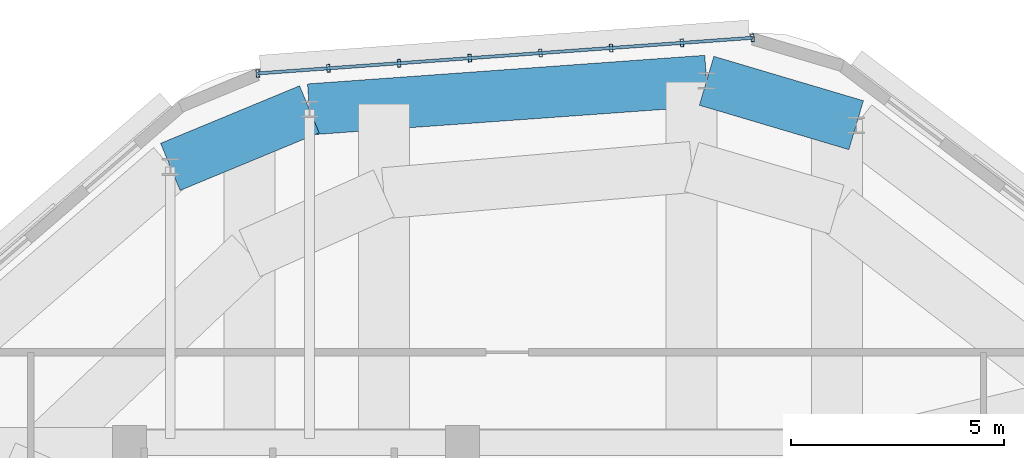
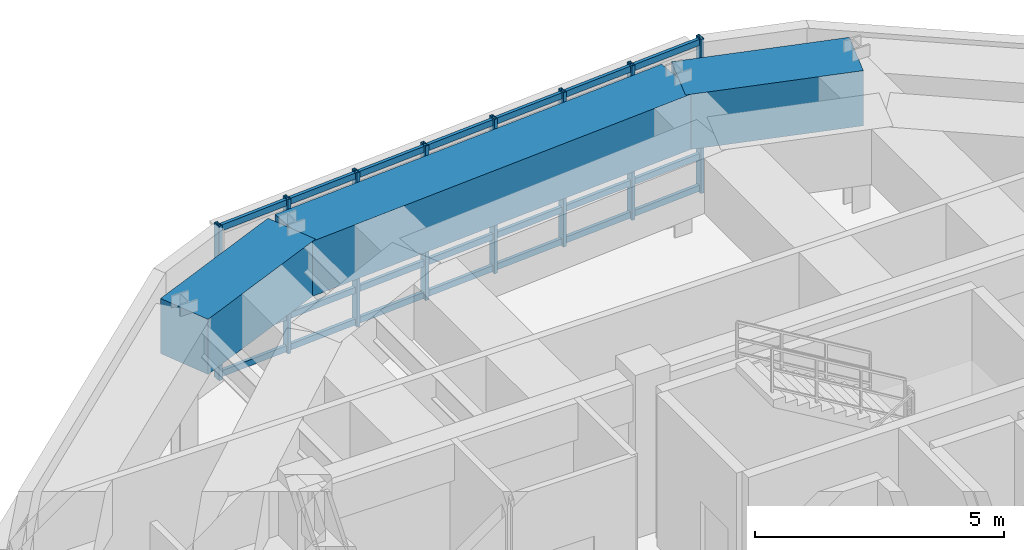
# One storey, part 8 of 12: 11 members, 3 beams, 1 element without a shape of its own.
"""IFC4 building model written with IfcOpenShell, lengths in metres."""

from ifc_helpers import new_model, si_unit, direction, frame, origin, origin_2d, place, context, subcontext, project, spatial, rectangle, hollow_rectangle, extrude, material, material_profile, profile_set, type_object, element, aggregate, save


model = new_model("IFC4")

# Units and contexts
model_context = context("Model", 3, precision=1e-05, world=origin(), true_north=direction((0.0, 1.0)))
body_context = subcontext(model_context, "Body", "Model", "MODEL_VIEW")
ifc_project = project(units=[si_unit("LENGTHUNIT", "METRE"), si_unit("AREAUNIT", "SQUARE_METRE"), si_unit("VOLUMEUNIT", "CUBIC_METRE"), si_unit("PLANEANGLEUNIT", "RADIAN"), si_unit("MASSUNIT", "GRAM", prefix="KILO")], contexts=[model_context])

# Site, building, storey
site_placement = place(None, origin())
site = spatial("IfcSite", under=ifc_project, at=site_placement, CompositionType="ELEMENT")
building_placement = place(site_placement, origin())
building = spatial("IfcBuilding", under=site, at=building_placement, Name="Zulverin Broadcast Headquarters", CompositionType="ELEMENT")
storey_placement = place(building_placement, frame((0.0, 0.0, 325.39990234375)))
storey = spatial("IfcBuildingStorey", under=building, at=storey_placement, Name="C4", CompositionType="ELEMENT", Elevation=325.39990234375)

# Beams
ifc_material_1 = material(Name="Concrete C50/60", Category="concrete")
ifc_material_profile_1 = material_profile(ifc_material_1, rectangle(XDim=1.199951171875, YDim=1.35009765625, at=origin_2d()), Name="Concrete C50/60", Category="concrete")
ifc_profile_set_1 = profile_set([ifc_material_profile_1], Name="Concrete C50/60")
beam_type = type_object("IfcBeamType", Name="BM-TG-CRN-1350", PredefinedType="USERDEFINED", material=ifc_profile_set_1)
beam_1_placement = place(storey_placement, frame((47.706298828125, 40.53955078125, 3.045166015625), z_axis=(-0.958655660541, 0.284568663969, 0.0), x_axis=(-0.284568663969, -0.958655660541, 0.0)))
element("IfcBeam", 1, at=beam_1_placement, inside=storey, type_object=beam_type, Name="C4 Perimeter Transfer Ring Girder SP-08", ObjectType="TRANSFER GIRDER", PredefinedType="USERDEFINED", context=body_context, shape_type="SweptSolid", body=[
    extrude(rectangle(XDim=1.199951171875, YDim=1.35009765625, at=origin_2d()), origin(), (0.0, 0.0, 1.0), 3.66845703125),
])
beam_2_placement = place(storey_placement, frame((44.189453125, 41.58349609375, 3.045166015625), z_axis=(-0.997422305712, -0.071754749446, 0.0), x_axis=(0.071754749446, -0.997422305712, 0.0)))
element("IfcBeam", 2, at=beam_2_placement, inside=storey, type_object=beam_type, Name="C4 Perimeter Transfer Ring Girder SP-09", ObjectType="TRANSFER GIRDER", PredefinedType="USERDEFINED", context=body_context, shape_type="SweptSolid", body=[
    extrude(rectangle(XDim=1.199951171875, YDim=1.35009765625, at=origin_2d()), origin(), (0.0, 0.0, 1.0), 9.363525390625),
])
beam_3_placement = place(storey_placement, frame((34.85009765625, 40.91162109375, 3.045166015625), z_axis=(-0.923999175622, -0.382394460537, 0.0), x_axis=(0.382394460537, -0.923999175622, 0.0)))
element("IfcBeam", 3, at=beam_3_placement, inside=storey, type_object=beam_type, Name="C4 Perimeter Transfer Ring Girder SP-10", ObjectType="TRANSFER GIRDER", PredefinedType="USERDEFINED", context=body_context, shape_type="SweptSolid", body=[
    extrude(rectangle(XDim=1.199951171875, YDim=1.35009765625, at=origin_2d()), origin(), (0.0, 0.0, 1.0), 3.53759765625),
])

# Curtain wall, members
ifc_material_2 = material(Name="Crown damper-hall structural glass curtain wall", Category="glass")
curtain_wall_type = type_object("IfcCurtainWallType", Name="CW-CRN", PredefinedType="USERDEFINED", material=ifc_material_2)
curtain_wall_placement = place(storey_placement, origin())
curtain_wall = element("IfcCurtainWall", 4, at=curtain_wall_placement, inside=storey, type_object=curtain_wall_type, Name="C4 Unitised Curtain Wall CW-C4-E5", ObjectType="UNITISED CURTAIN WALL", PredefinedType="USERDEFINED")
ifc_material_3 = material(Name="Anodized pale-metal aluminium alloy 6063-T6", Category="aluminium")
ifc_material_profile_2 = material_profile(ifc_material_3, hollow_rectangle(XDim=0.074951171875, YDim=0.179931640625, WallThickness=0.0048828125, at=origin_2d()), Name="Anodized pale-metal aluminium alloy 6063-T6", Category="aluminium")
ifc_profile_set_2 = profile_set([ifc_material_profile_2], Name="Anodized pale-metal aluminium alloy 6063-T6")
member_type_1 = type_object("IfcMemberType", Name="CW-MUL-180", PredefinedType="MULLION", material=ifc_profile_set_2)
member_1_placement = place(storey_placement, frame((45.269775390625, 42.59375, -0.02978515625), z_axis=(0.0, 0.0, 1.0), x_axis=(-0.997421153991, -0.071770757069, 0.0)))
member_1 = element("IfcMember", 5, at=member_1_placement, type_object=member_type_1, Name="CW-C4-E5 Mullion 00", PredefinedType="MULLION", context=body_context, shape_type="SweptSolid", body=[
    extrude(hollow_rectangle(XDim=0.074951171875, YDim=0.179931640625, WallThickness=0.0048828125, at=origin_2d()), origin(), (0.0, 0.0, 1.0), 3.77978515625),
])
member_2_placement = place(storey_placement, frame((43.60791015625, 42.47412109375, -0.02978515625), z_axis=(0.0, 0.0, 1.0), x_axis=(-0.997421153991, -0.071770757069, 0.0)))
member_2 = element("IfcMember", 6, at=member_2_placement, type_object=member_type_1, Name="CW-C4-E5 Mullion 01", PredefinedType="MULLION", context=body_context, shape_type="SweptSolid", body=[
    extrude(hollow_rectangle(XDim=0.074951171875, YDim=0.179931640625, WallThickness=0.0048828125, at=origin_2d()), origin(), (0.0, 0.0, 1.0), 3.77978515625),
])
member_3_placement = place(storey_placement, frame((41.94580078125, 42.3544921875, -0.02978515625), z_axis=(0.0, 0.0, 1.0), x_axis=(-0.997421153991, -0.071770757069, 0.0)))
member_3 = element("IfcMember", 7, at=member_3_placement, type_object=member_type_1, Name="CW-C4-E5 Mullion 02", PredefinedType="MULLION", context=body_context, shape_type="SweptSolid", body=[
    extrude(hollow_rectangle(XDim=0.074951171875, YDim=0.179931640625, WallThickness=0.0048828125, at=origin_2d()), origin(), (0.0, 0.0, 1.0), 3.77978515625),
])
member_4_placement = place(storey_placement, frame((40.283935546875, 42.235107421875, -0.02978515625), z_axis=(0.0, 0.0, 1.0), x_axis=(-0.997421153991, -0.071770757069, 0.0)))
member_4 = element("IfcMember", 8, at=member_4_placement, type_object=member_type_1, Name="CW-C4-E5 Mullion 03", PredefinedType="MULLION", context=body_context, shape_type="SweptSolid", body=[
    extrude(hollow_rectangle(XDim=0.074951171875, YDim=0.179931640625, WallThickness=0.0048828125, at=origin_2d()), origin(), (0.0, 0.0, 1.0), 3.77978515625),
])
member_5_placement = place(storey_placement, frame((38.6220703125, 42.115478515625, -0.02978515625), z_axis=(0.0, 0.0, 1.0), x_axis=(-0.997421153991, -0.071770757069, 0.0)))
member_5 = element("IfcMember", 9, at=member_5_placement, type_object=member_type_1, Name="CW-C4-E5 Mullion 04", PredefinedType="MULLION", context=body_context, shape_type="SweptSolid", body=[
    extrude(hollow_rectangle(XDim=0.074951171875, YDim=0.179931640625, WallThickness=0.0048828125, at=origin_2d()), origin(), (0.0, 0.0, 1.0), 3.77978515625),
])
member_6_placement = place(storey_placement, frame((36.960205078125, 41.995849609375, -0.02978515625), z_axis=(0.0, 0.0, 1.0), x_axis=(-0.997421153991, -0.071770757069, 0.0)))
member_6 = element("IfcMember", 10, at=member_6_placement, type_object=member_type_1, Name="CW-C4-E5 Mullion 05", PredefinedType="MULLION", context=body_context, shape_type="SweptSolid", body=[
    extrude(hollow_rectangle(XDim=0.074951171875, YDim=0.179931640625, WallThickness=0.0048828125, at=origin_2d()), origin(), (0.0, 0.0, 1.0), 3.77978515625),
])
member_7_placement = place(storey_placement, frame((35.298095703125, 41.876220703125, -0.02978515625), z_axis=(0.0, 0.0, 1.0), x_axis=(-0.997421153991, -0.071770757069, 0.0)))
member_7 = element("IfcMember", 11, at=member_7_placement, type_object=member_type_1, Name="CW-C4-E5 Mullion 06", PredefinedType="MULLION", context=body_context, shape_type="SweptSolid", body=[
    extrude(hollow_rectangle(XDim=0.074951171875, YDim=0.179931640625, WallThickness=0.0048828125, at=origin_2d()), origin(), (0.0, 0.0, 1.0), 3.77978515625),
])
member_8_placement = place(storey_placement, frame((33.63623046875, 41.756591796875, -0.02978515625), z_axis=(0.0, 0.0, 1.0), x_axis=(-0.997421153991, -0.071770757069, 0.0)))
member_8 = element("IfcMember", 12, at=member_8_placement, type_object=member_type_1, Name="CW-C4-E5 Mullion 07", PredefinedType="MULLION", context=body_context, shape_type="SweptSolid", body=[
    extrude(hollow_rectangle(XDim=0.074951171875, YDim=0.179931640625, WallThickness=0.0048828125, at=origin_2d()), origin(), (0.0, 0.0, 1.0), 3.77978515625),
])
ifc_material_profile_3 = material_profile(ifc_material_3, hollow_rectangle(XDim=0.074951171875, YDim=0.14990234375, WallThickness=0.0048828125, at=origin_2d()), Name="Anodized pale-metal aluminium alloy 6063-T6", Category="aluminium")
ifc_profile_set_3 = profile_set([ifc_material_profile_3], Name="Anodized pale-metal aluminium alloy 6063-T6")
member_type_2 = type_object("IfcMemberType", Name="CW-TRN-150", PredefinedType="USERDEFINED", material=ifc_profile_set_3)
member_9_placement = place(storey_placement, frame((45.269775390625, 42.59375, 0.0751953125), z_axis=(-0.997420840316, -0.071775116187, 0.0), x_axis=(0.071775116187, -0.997420840316, 0.0)))
member_9 = element("IfcMember", 13, at=member_9_placement, type_object=member_type_2, Name="CW-C4-E5 Transom 0", ObjectType="TRANSOM", PredefinedType="USERDEFINED", context=body_context, shape_type="SweptSolid", body=[
    extrude(hollow_rectangle(XDim=0.074951171875, YDim=0.14990234375, WallThickness=0.0048828125, at=origin_2d()), origin(), (0.0, 0.0, 1.0), 11.66357421875),
])
member_10_placement = place(storey_placement, frame((45.269775390625, 42.59375, 0.85009765625), z_axis=(-0.997420840316, -0.071775116187, 0.0), x_axis=(0.071775116187, -0.997420840316, 0.0)))
member_10 = element("IfcMember", 14, at=member_10_placement, type_object=member_type_2, Name="CW-C4-E5 Transom 1", ObjectType="TRANSOM", PredefinedType="USERDEFINED", context=body_context, shape_type="SweptSolid", body=[
    extrude(hollow_rectangle(XDim=0.074951171875, YDim=0.14990234375, WallThickness=0.0048828125, at=origin_2d()), origin(), (0.0, 0.0, 1.0), 11.66357421875),
])
member_11_placement = place(storey_placement, frame((45.269775390625, 42.59375, 3.64501953125), z_axis=(-0.997420840316, -0.071775116187, 0.0), x_axis=(0.071775116187, -0.997420840316, 0.0)))
member_11 = element("IfcMember", 15, at=member_11_placement, type_object=member_type_2, Name="CW-C4-E5 Transom 2", ObjectType="TRANSOM", PredefinedType="USERDEFINED", context=body_context, shape_type="SweptSolid", body=[
    extrude(hollow_rectangle(XDim=0.074951171875, YDim=0.14990234375, WallThickness=0.0048828125, at=origin_2d()), origin(), (0.0, 0.0, 1.0), 11.66357421875),
])
aggregate(curtain_wall, [member_1, member_2, member_3, member_4, member_5, member_6, member_7, member_8, member_9, member_10, member_11])

save(model, "model.ifc")
